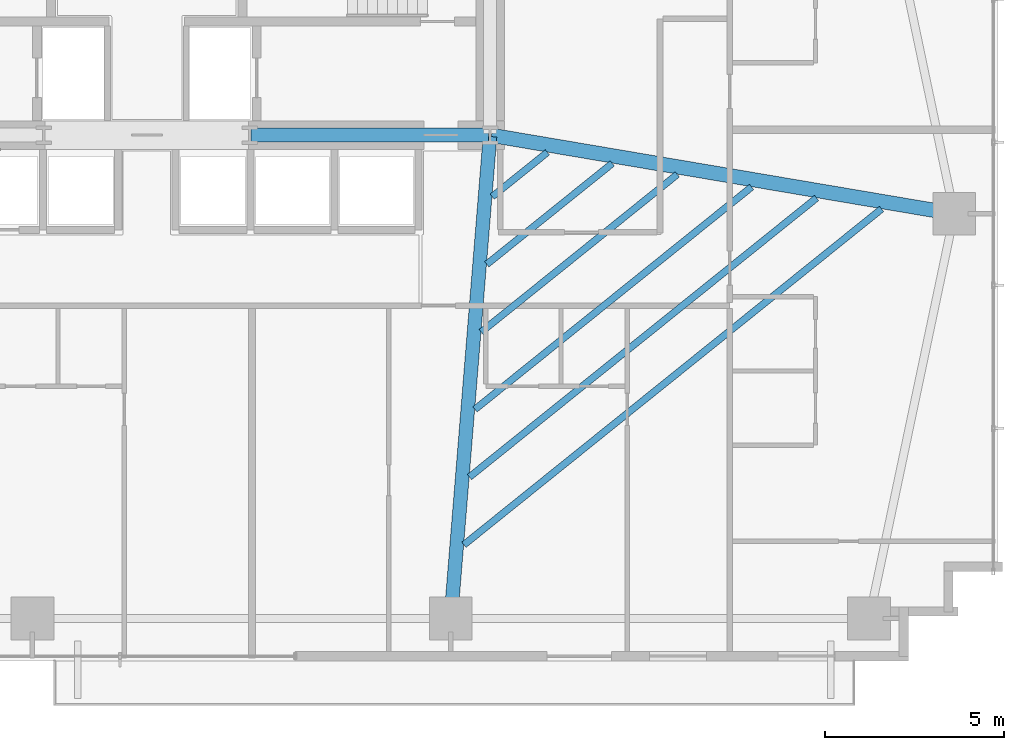
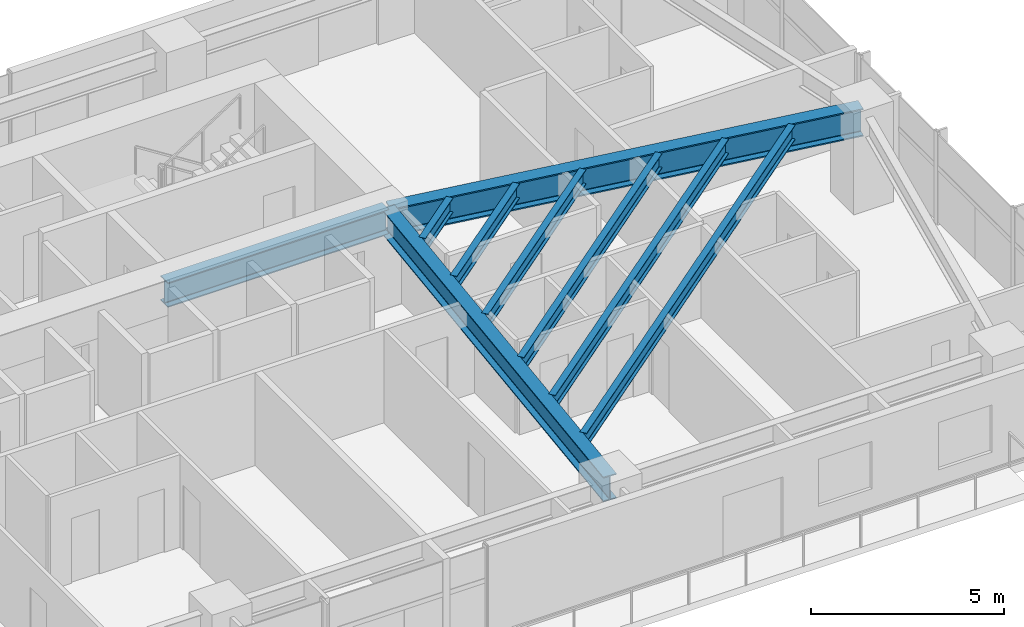
# One storey, part 13 of 25: 9 beams.
"""IFC4 building model written with IfcOpenShell, lengths in metres."""

from ifc_helpers import new_model, si_unit, direction, frame, origin, origin_2d, place, context, subcontext, project, spatial, i_section, extrude, source, transform, mapped, material, material_profile, profile_set, type_object, type_shapes, element, save


model = new_model("IFC4")

# Units and contexts
model_context = context("Model", 3, precision=1e-05, world=origin(), true_north=direction((0.0, 1.0)))
body_context = subcontext(model_context, "Body", "Model", "MODEL_VIEW")
ifc_project = project(units=[si_unit("LENGTHUNIT", "METRE"), si_unit("AREAUNIT", "SQUARE_METRE"), si_unit("VOLUMEUNIT", "CUBIC_METRE"), si_unit("PLANEANGLEUNIT", "RADIAN"), si_unit("MASSUNIT", "GRAM", prefix="KILO")], contexts=[model_context])

# Site, building, storey
site_placement = place(None, origin())
site = spatial("IfcSite", under=ifc_project, at=site_placement, CompositionType="ELEMENT")
building_placement = place(site_placement, origin())
building = spatial("IfcBuilding", under=site, at=building_placement, Name="Astriad Promenade Condominiums", CompositionType="ELEMENT")
storey_placement = place(building_placement, frame((0.0, 0.0, 42.199951171875)))
storey = spatial("IfcBuildingStorey", under=building, at=storey_placement, Name="L11", CompositionType="ELEMENT", Elevation=42.199951171875)

# Beams
ifc_material = material(Name="Steel ASTM A992 Grade 50", Category="steel")
ifc_material_profile_1 = material_profile(ifc_material, i_section(OverallWidth=0.3837890625, OverallDepth=0.785888671875, WebThickness=0.019775390625, FlangeThickness=0.033447265625, FilletRadius=0.021484375, at=origin_2d()), Name="W30X211")
ifc_profile_set_1 = profile_set([ifc_material_profile_1], Name="Steel ASTM A992 Grade 50")
beam_type_1 = type_object("IfcBeamType", Name="STEEL FLOOR GIRDER W30X211", PredefinedType="BEAM", material=ifc_profile_set_1)
shared_shape_1 = source(origin(), body_context, "Body", "SweptSolid", [
    extrude(i_section(OverallWidth=0.3837890625, OverallDepth=0.785888671875, WebThickness=0.019775390625, FlangeThickness=0.033447265625, FilletRadius=0.021484375, at=origin_2d()), origin(), (0.0, 0.0, 1.0), 6.64013671875),
])
beam_1_placement = place(storey_placement, frame((38.919921875, 17.39990234375, 2.547119140625), z_axis=(1.0, 0.0, 0.0), x_axis=(0.0, 1.0, 0.0)))
element("IfcBeam", 1, at=beam_1_placement, inside=storey, type_object=beam_type_1, Name="Core Ring Beam CG-S3-L11", PredefinedType="BEAM", context=body_context, shape_type="MappedRepresentation", body=[
    mapped(shared_shape_1, transform((0.0, 0.0, 0.0), scale=1.0)),
])
shared_shape_2 = source(origin(), body_context, "Body", "SweptSolid", [
    extrude(i_section(OverallWidth=0.3837890625, OverallDepth=0.785888671875, WebThickness=0.019775390625, FlangeThickness=0.033447265625, FilletRadius=0.021484375, at=origin_2d()), origin(), (0.0, 0.0, 1.0), 13.484619140625),
])
type_shapes(beam_type_1, [shared_shape_1, shared_shape_2])
beam_2_placement = place(storey_placement, frame((44.503173828125, 3.919921875, 2.547119140625), z_axis=(0.081092961134, 0.996706542396, 0.0), x_axis=(-0.996706542396, 0.081092961134, 0.0)))
element("IfcBeam", 2, at=beam_2_placement, inside=storey, type_object=beam_type_1, Name="Primary Floor Girder PG-E2-L11", PredefinedType="BEAM", context=body_context, shape_type="MappedRepresentation", body=[
    mapped(shared_shape_2, transform((0.0, 0.0, 0.0), scale=1.0)),
])
ifc_material_profile_2 = material_profile(ifc_material, i_section(OverallWidth=0.4013671875, OverallDepth=0.877197265625, WebThickness=0.022216796875, FlangeThickness=0.039794921875, FilletRadius=0.02294921875, at=origin_2d()), Name="W33X263")
ifc_profile_set_2 = profile_set([ifc_material_profile_2], Name="Steel ASTM A992 Grade 50")
beam_type_2 = type_object("IfcBeamType", Name="STEEL PRIMARY GIRDER W33X263", PredefinedType="BEAM", material=ifc_profile_set_2)
shared_shape_3 = source(origin(), body_context, "Body", "SweptSolid", [
    extrude(i_section(OverallWidth=0.4013671875, OverallDepth=0.877197265625, WebThickness=0.022216796875, FlangeThickness=0.039794921875, FilletRadius=0.02294921875, at=origin_2d()), origin(), (0.0, 0.0, 1.0), 13.085205078125),
])
type_shapes(beam_type_2, [shared_shape_3])
beam_3_placement = place(storey_placement, frame((58.54052734375, 15.206787109375, 2.50146484375), z_axis=(-0.985939912267, 0.167100237577, 0.0), x_axis=(-0.167100237577, -0.985939912267, 0.0)))
element("IfcBeam", 3, at=beam_3_placement, inside=storey, type_object=beam_type_2, Name="Primary Floor Girder PG-EM-L11", PredefinedType="BEAM", context=body_context, shape_type="MappedRepresentation", body=[
    mapped(shared_shape_3, transform((0.0, 0.0, 0.0), scale=1.0)),
])
ifc_material_profile_3 = material_profile(ifc_material, i_section(OverallWidth=0.19287109375, OverallDepth=0.466064453125, WebThickness=0.011474609375, FlangeThickness=0.01904296875, FilletRadius=0.01513671875, at=origin_2d()), Name="W18X65")
ifc_profile_set_3 = profile_set([ifc_material_profile_3], Name="Steel ASTM A992 Grade 50")
beam_type_3 = type_object("IfcBeamType", Name="STEEL FLOOR JOIST W18X65", PredefinedType="JOIST", material=ifc_profile_set_3)
shared_shape_4 = source(origin(), body_context, "Body", "SweptSolid", [
    extrude(i_section(OverallWidth=0.19287109375, OverallDepth=0.466064453125, WebThickness=0.011474609375, FlangeThickness=0.01904296875, FilletRadius=0.01513671875, at=origin_2d()), origin(), (0.0, 0.0, 1.0), 14.984375),
])
beam_4_placement = place(storey_placement, frame((44.867919921875, 5.944580078125, 2.70703125), z_axis=(0.77934368876, 0.626596692291, 0.0), x_axis=(-0.626596692291, 0.77934368876, 0.0)))
element("IfcBeam", 4, at=beam_4_placement, inside=storey, type_object=beam_type_3, Name="Secondary Composite Floor Joist JE1-1-L11", PredefinedType="JOIST", context=body_context, shape_type="MappedRepresentation", body=[
    mapped(shared_shape_4, transform((0.0, 0.0, 0.0), scale=1.0)),
])
shared_shape_5 = source(origin(), body_context, "Body", "SweptSolid", [
    extrude(i_section(OverallWidth=0.19287109375, OverallDepth=0.466064453125, WebThickness=0.011474609375, FlangeThickness=0.01904296875, FilletRadius=0.01513671875, at=origin_2d()), origin(), (0.0, 0.0, 1.0), 12.455078125),
])
beam_5_placement = place(storey_placement, frame((45.021728515625, 7.83740234375, 2.70703125), z_axis=(0.77935577594, 0.626581658292, 0.0), x_axis=(-0.626581658292, 0.77935577594, 0.0)))
element("IfcBeam", 5, at=beam_5_placement, inside=storey, type_object=beam_type_3, Name="Secondary Composite Floor Joist JE1-2-L11", PredefinedType="JOIST", context=body_context, shape_type="MappedRepresentation", body=[
    mapped(shared_shape_5, transform((0.0, 0.0, 0.0), scale=1.0)),
])
shared_shape_6 = source(origin(), body_context, "Body", "SweptSolid", [
    extrude(i_section(OverallWidth=0.19287109375, OverallDepth=0.466064453125, WebThickness=0.011474609375, FlangeThickness=0.01904296875, FilletRadius=0.01513671875, at=origin_2d()), origin(), (0.0, 0.0, 1.0), 9.926025390625),
])
beam_6_placement = place(storey_placement, frame((45.17578125, 9.730224609375, 2.70703125), z_axis=(0.779352355084, 0.626585913203, 0.0), x_axis=(-0.626585913203, 0.779352355084, 0.0)))
element("IfcBeam", 6, at=beam_6_placement, inside=storey, type_object=beam_type_3, Name="Secondary Composite Floor Joist JE1-3-L11", PredefinedType="JOIST", context=body_context, shape_type="MappedRepresentation", body=[
    mapped(shared_shape_6, transform((0.0, 0.0, 0.0), scale=1.0)),
])
shared_shape_7 = source(origin(), body_context, "Body", "SweptSolid", [
    extrude(i_section(OverallWidth=0.19287109375, OverallDepth=0.466064453125, WebThickness=0.011474609375, FlangeThickness=0.01904296875, FilletRadius=0.01513671875, at=origin_2d()), origin(), (0.0, 0.0, 1.0), 7.03515625),
])
beam_7_placement = place(storey_placement, frame((45.351806640625, 11.8935546875, 2.70703125), z_axis=(0.779349752639, 0.626589150131, 0.0), x_axis=(-0.626589150131, 0.779349752639, 0.0)))
element("IfcBeam", 7, at=beam_7_placement, inside=storey, type_object=beam_type_3, Name="Secondary Composite Floor Joist JE1-4-L11", PredefinedType="JOIST", context=body_context, shape_type="MappedRepresentation", body=[
    mapped(shared_shape_7, transform((0.0, 0.0, 0.0), scale=1.0)),
])
shared_shape_8 = source(origin(), body_context, "Body", "SweptSolid", [
    extrude(i_section(OverallWidth=0.19287109375, OverallDepth=0.466064453125, WebThickness=0.011474609375, FlangeThickness=0.01904296875, FilletRadius=0.01513671875, at=origin_2d()), origin(), (0.0, 0.0, 1.0), 4.505859375),
])
beam_8_placement = place(storey_placement, frame((45.505859375, 13.786376953125, 2.70703125), z_axis=(0.779365294733, 0.626569818429, 0.0), x_axis=(-0.626569818429, 0.779365294733, 0.0)))
element("IfcBeam", 8, at=beam_8_placement, inside=storey, type_object=beam_type_3, Name="Secondary Composite Floor Joist JE1-5-L11", PredefinedType="JOIST", context=body_context, shape_type="MappedRepresentation", body=[
    mapped(shared_shape_8, transform((0.0, 0.0, 0.0), scale=1.0)),
])
shared_shape_9 = source(origin(), body_context, "Body", "SweptSolid", [
    extrude(i_section(OverallWidth=0.19287109375, OverallDepth=0.466064453125, WebThickness=0.011474609375, FlangeThickness=0.01904296875, FilletRadius=0.01513671875, at=origin_2d()), origin(), (0.0, 0.0, 1.0), 1.9765625),
])
type_shapes(beam_type_3, [shared_shape_4, shared_shape_5, shared_shape_6, shared_shape_7, shared_shape_8, shared_shape_9])
beam_9_placement = place(storey_placement, frame((45.659912109375, 15.67919921875, 2.70703125), z_axis=(0.77936029648, 0.626576035506, 0.0), x_axis=(-0.626576035506, 0.77936029648, 0.0)))
element("IfcBeam", 9, at=beam_9_placement, inside=storey, type_object=beam_type_3, Name="Secondary Composite Floor Joist JE1-6-L11", PredefinedType="JOIST", context=body_context, shape_type="MappedRepresentation", body=[
    mapped(shared_shape_9, transform((0.0, 0.0, 0.0), scale=1.0)),
])

save(model, "model.ifc")
